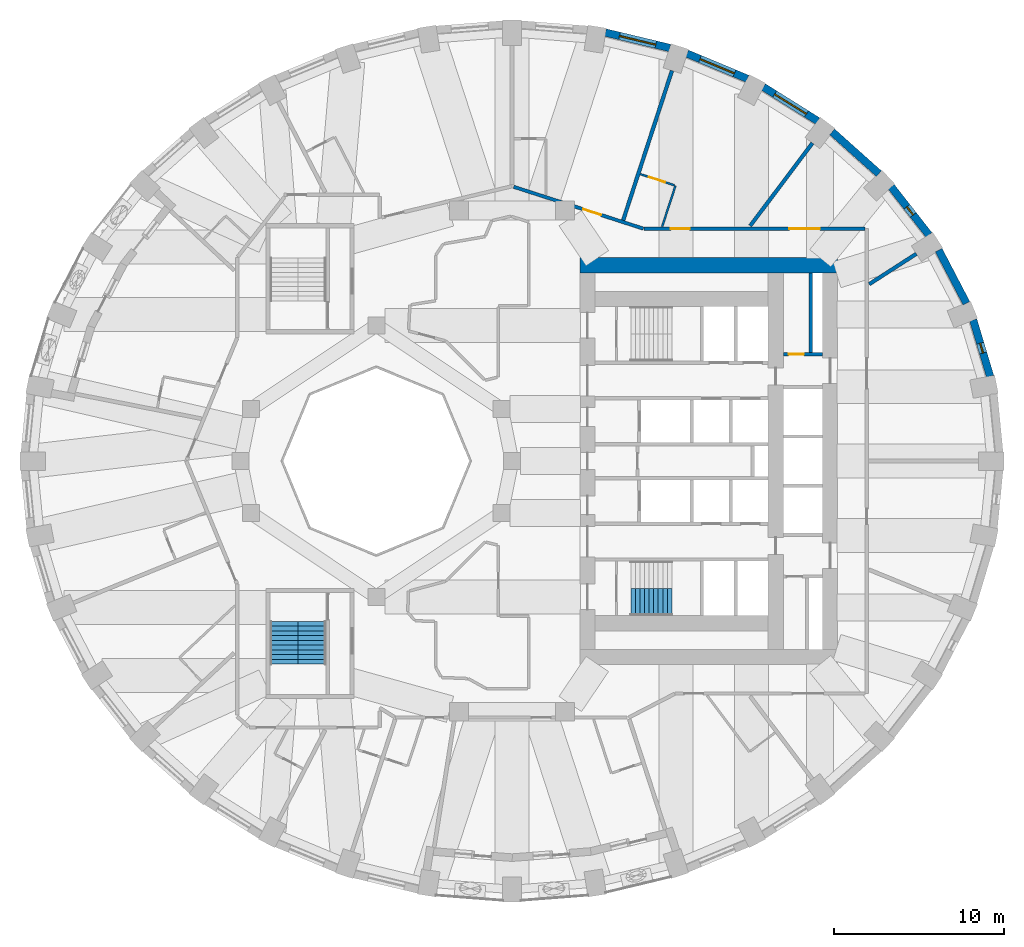
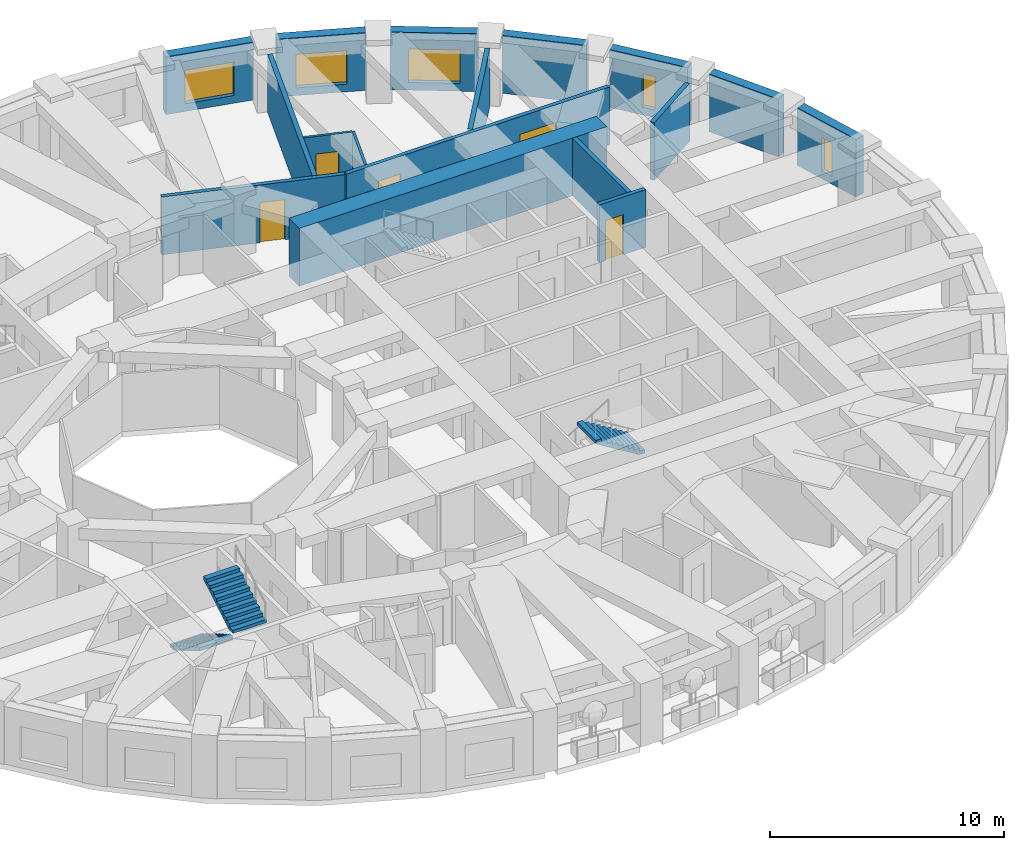
# One storey, part 9 of 13: 17 walls, 5 doors, 5 windows, 3 stair flights, 10 openings, 2 elements without a shape of their own.
"""IFC4 building model written with IfcOpenShell, lengths in metres."""

from ifc_helpers import new_model, si_unit, direction, frame, frame_2d, origin, place, context, subcontext, project, spatial, polyline, rectangle, outline, extrude, material, layer, layer_set, type_object, element, fill, aggregate, save


model = new_model("IFC4")

# Units and contexts
model_context = context("Model", 3, precision=1e-05, world=origin(), true_north=direction((0.0, 1.0)))
body_context = subcontext(model_context, "Body", "Model", "MODEL_VIEW")
ifc_project = project(units=[si_unit("LENGTHUNIT", "METRE"), si_unit("AREAUNIT", "SQUARE_METRE"), si_unit("VOLUMEUNIT", "CUBIC_METRE"), si_unit("PLANEANGLEUNIT", "RADIAN"), si_unit("MASSUNIT", "GRAM", prefix="KILO")], contexts=[model_context])

# Site, building, storey
site_placement = place(None, origin())
site = spatial("IfcSite", under=ifc_project, at=site_placement, CompositionType="ELEMENT")
building_placement = place(site_placement, origin())
building = spatial("IfcBuilding", under=site, at=building_placement, Name="Taillehof Tower", CompositionType="ELEMENT")
storey_placement = place(building_placement, frame((0.0, 0.0, 74.5)))
storey = spatial("IfcBuildingStorey", under=building, at=storey_placement, Name="L20", CompositionType="ELEMENT", Elevation=74.5)

# Wall, opening, window
ifc_material_1 = material(Name="Brick masonry", Category="masonry")
ifc_layer_1 = layer(ifc_material_1, 0.449951171875)
ifc_layer_set_1 = layer_set([ifc_layer_1], Name="Brick infill wall 450")
wall_type_1 = type_object("IfcWallType", Name="Brick infill wall 450", PredefinedType="SOLIDWALL", material=ifc_layer_set_1)
wall_1_placement = place(storey_placement, frame((28.181884765625, 4.995849609375, 0.0), z_axis=(0.0, 0.0, 1.0), x_axis=(-0.287064133733, 0.957911364963, 0.0)))
wall_1 = element("IfcWall", 1, at=wall_1_placement, inside=storey, type_object=wall_type_1, Name="Brick wall L20 bay 2", PredefinedType="SOLIDWALL", context=body_context, shape_type="SweptSolid", body=[
    extrude(rectangle(XDim=3.473388671875, YDim=0.449951171875, at=frame_2d((1.73681640625, 0.0))), origin(), (0.0, 0.0, 1.0), 3.02001953125),
])
opening_1_placement = place(wall_1_placement, frame((1.436767578125, 0.0, 0.39990234375)))
opening_1 = element("IfcOpeningElement", 2, at=opening_1_placement, cuts=wall_1, Name="Opening W6", PredefinedType="OPENING", context=body_context, shape_type="SweptSolid", body=[
    extrude(rectangle(XDim=0.60009765625, YDim=1.75, at=frame_2d((0.300048828125, 0.875))), frame((0.0, 0.23486328125, 0.0), z_axis=(0.0, -1.0, 0.0), x_axis=(1.0, 0.0, 0.0)), (0.0, 0.0, 1.0), 0.469970703125),
])
ifc_material_2 = material(Name="Aluminium window frame with clear double glazing", Category="aluminium")
window_type_1 = type_object("IfcWindowType", Name="Slot window 600x1750", PartitioningType="SINGLE_PANEL", PredefinedType="WINDOW", material=ifc_material_2)
window_1_placement = place(opening_1_placement, origin())
window_1 = element("IfcWindow", 3, at=window_1_placement, inside=storey, type_object=window_type_1, Name="W6", OverallHeight=1.75, OverallWidth=0.60009765625, PartitioningType="SINGLE_PANEL", PredefinedType="WINDOW", context=body_context, shape_type="SweptSolid", body=[
    extrude(rectangle(XDim=0.60009765625, YDim=1.75, at=frame_2d((0.300048828125, 0.875))), frame((0.0, 0.034912109375, 0.0), z_axis=(0.0, -1.0, 0.0), x_axis=(1.0, 0.0, 0.0)), (0.0, 0.0, 1.0), 0.06005859375),
])
fill(opening_1, window_1)

# Wall
wall_2_placement = place(storey_placement, frame((26.78564453125, 9.30517578125, 0.0), z_axis=(0.0, 0.0, 1.0), x_axis=(-0.462492775226, 0.886623050041, 0.0)))
element("IfcWall", 4, at=wall_2_placement, inside=storey, type_object=wall_type_1, Name="Brick wall L20 bay 3", PredefinedType="SOLIDWALL", context=body_context, shape_type="SweptSolid", body=[
    extrude(rectangle(XDim=3.531982421875, YDim=0.449951171875, at=frame_2d((1.76611328125, 0.0))), origin(), (0.0, 0.0, 1.0), 3.02001953125),
])

# Wall, opening, window
wall_3_placement = place(storey_placement, frame((24.57763671875, 13.327880859375, 0.0), z_axis=(0.0, 0.0, 1.0), x_axis=(-0.616661975264, 0.787228053529, 0.0)))
wall_3 = element("IfcWall", 5, at=wall_3_placement, inside=storey, type_object=wall_type_1, Name="Brick wall L20 bay 4", PredefinedType="SOLIDWALL", context=body_context, shape_type="SweptSolid", body=[
    extrude(rectangle(XDim=3.60986328125, YDim=0.449951171875, at=frame_2d((1.804931640625, 0.0))), origin(), (0.0, 0.0, 1.0), 3.02001953125),
])
opening_2_placement = place(wall_3_placement, frame((1.5048828125, 0.0, 0.39990234375)))
opening_2 = element("IfcOpeningElement", 6, at=opening_2_placement, cuts=wall_3, Name="Opening W6", PredefinedType="OPENING", context=body_context, shape_type="SweptSolid", body=[
    extrude(rectangle(XDim=0.60009765625, YDim=1.75, at=frame_2d((0.300048828125, 0.875))), frame((0.0, 0.23486328125, 0.0), z_axis=(0.0, -1.0, 0.0), x_axis=(1.0, 0.0, 0.0)), (0.0, 0.0, 1.0), 0.469970703125),
])
window_2_placement = place(opening_2_placement, origin())
window_2 = element("IfcWindow", 7, at=window_2_placement, inside=storey, type_object=window_type_1, Name="W6", OverallHeight=1.75, OverallWidth=0.60009765625, PartitioningType="SINGLE_PANEL", PredefinedType="WINDOW", context=body_context, shape_type="SweptSolid", body=[
    extrude(rectangle(XDim=0.60009765625, YDim=1.75, at=frame_2d((0.300048828125, 0.875))), frame((0.0, 0.034912109375, 0.0), z_axis=(0.0, -1.0, 0.0), x_axis=(1.0, 0.0, 0.0)), (0.0, 0.0, 1.0), 0.06005859375),
])
fill(opening_2, window_2)

# Wall
wall_4_placement = place(storey_placement, frame((21.626708984375, 16.943115234375, 0.0), z_axis=(0.0, 0.0, 1.0), x_axis=(-0.745526233716, 0.66647628228, 0.0)))
element("IfcWall", 8, at=wall_4_placement, inside=storey, type_object=wall_type_1, Name="Brick wall L20 bay 5", PredefinedType="SOLIDWALL", context=body_context, shape_type="SweptSolid", body=[
    extrude(rectangle(XDim=3.69677734375, YDim=0.449951171875, at=frame_2d((1.848388671875, 0.0))), origin(), (0.0, 0.0, 1.0), 3.02001953125),
])

# Wall, opening, window
wall_5_placement = place(storey_placement, frame((18.02294921875, 20.043701171875, 0.0), z_axis=(0.0, 0.0, 1.0), x_axis=(-0.847635480093, 0.530579016629, 0.0)))
wall_5 = element("IfcWall", 9, at=wall_5_placement, inside=storey, type_object=wall_type_1, Name="Brick wall L20 bay 6", PredefinedType="SOLIDWALL", context=body_context, shape_type="SweptSolid", body=[
    extrude(rectangle(XDim=3.782470703125, YDim=0.449951171875, at=frame_2d((1.89111328125, 0.0))), origin(), (0.0, 0.0, 1.0), 3.02001953125),
])
opening_3_placement = place(wall_5_placement, frame((0.791259765625, 0.0, 0.39990234375)))
opening_3 = element("IfcOpeningElement", 10, at=opening_3_placement, cuts=wall_5, Name="Opening W1", PredefinedType="OPENING", context=body_context, shape_type="SweptSolid", body=[
    extrude(rectangle(XDim=2.199951171875, YDim=1.75, at=frame_2d((1.10009765625, 0.875))), frame((0.0, 0.23486328125, 0.0), z_axis=(0.0, -1.0, 0.0), x_axis=(1.0, 0.0, 0.0)), (0.0, 0.0, 1.0), 0.469970703125),
])
ifc_material_3 = material(Name="Aluminium window frame with clear double glazing", Category="aluminium")
window_type_2 = type_object("IfcWindowType", Name="Deep-set window 2200x1750", PartitioningType="SINGLE_PANEL", PredefinedType="WINDOW", material=ifc_material_3)
window_3_placement = place(opening_3_placement, origin())
window_3 = element("IfcWindow", 11, at=window_3_placement, inside=storey, type_object=window_type_2, Name="W1", OverallHeight=1.75, OverallWidth=2.199951171875, PartitioningType="SINGLE_PANEL", PredefinedType="WINDOW", context=body_context, shape_type="SweptSolid", body=[
    extrude(rectangle(XDim=2.199951171875, YDim=1.75, at=frame_2d((1.10009765625, 0.875))), frame((0.0, 0.034912109375, 0.0), z_axis=(0.0, -1.0, 0.0), x_axis=(1.0, 0.0, 0.0)), (0.0, 0.0, 1.0), 0.06005859375),
])
fill(opening_3, window_3)

wall_6_placement = place(storey_placement, frame((13.875, 22.537353515625, 0.0), z_axis=(0.0, 0.0, 1.0), x_axis=(-0.923031964282, 0.384723267966, 0.0)))
wall_6 = element("IfcWall", 12, at=wall_6_placement, inside=storey, type_object=wall_type_1, Name="Brick wall L20 bay 7", PredefinedType="SOLIDWALL", context=body_context, shape_type="SweptSolid", body=[
    extrude(rectangle(XDim=3.8564453125, YDim=0.449951171875, at=frame_2d((1.92822265625, 0.0))), origin(), (0.0, 0.0, 1.0), 3.02001953125),
])
opening_4_placement = place(wall_6_placement, frame((0.828125, 0.0, 0.39990234375)))
opening_4 = element("IfcOpeningElement", 13, at=opening_4_placement, cuts=wall_6, Name="Opening W1", PredefinedType="OPENING", context=body_context, shape_type="SweptSolid", body=[
    extrude(rectangle(XDim=2.199951171875, YDim=1.75, at=frame_2d((1.10009765625, 0.875))), frame((0.0, 0.23486328125, 0.0), z_axis=(0.0, -1.0, 0.0), x_axis=(1.0, 0.0, 0.0)), (0.0, 0.0, 1.0), 0.469970703125),
])
window_4_placement = place(opening_4_placement, origin())
window_4 = element("IfcWindow", 14, at=window_4_placement, inside=storey, type_object=window_type_2, Name="W1", OverallHeight=1.75, OverallWidth=2.199951171875, PartitioningType="SINGLE_PANEL", PredefinedType="WINDOW", context=body_context, shape_type="SweptSolid", body=[
    extrude(rectangle(XDim=2.199951171875, YDim=1.75, at=frame_2d((1.10009765625, 0.875))), frame((0.0, 0.034912109375, 0.0), z_axis=(0.0, -1.0, 0.0), x_axis=(1.0, 0.0, 0.0)), (0.0, 0.0, 1.0), 0.06005859375),
])
fill(opening_4, window_4)

wall_7_placement = place(storey_placement, frame((9.3076171875, 24.349609375, 0.0), z_axis=(0.0, 0.0, 1.0), x_axis=(-0.972496561493, 0.232917233979, 0.0)))
wall_7 = element("IfcWall", 15, at=wall_7_placement, inside=storey, type_object=wall_type_1, Name="Brick wall L20 bay 8", PredefinedType="SOLIDWALL", context=body_context, shape_type="SweptSolid", body=[
    extrude(rectangle(XDim=3.910888671875, YDim=0.449951171875, at=frame_2d((1.95556640625, 0.0))), origin(), (0.0, 0.0, 1.0), 3.02001953125),
])
opening_5_placement = place(wall_7_placement, frame((0.855224609375, 0.0, 0.39990234375)))
opening_5 = element("IfcOpeningElement", 16, at=opening_5_placement, cuts=wall_7, Name="Opening W1", PredefinedType="OPENING", context=body_context, shape_type="SweptSolid", body=[
    extrude(rectangle(XDim=2.199951171875, YDim=1.75, at=frame_2d((1.10009765625, 0.875))), frame((0.0, 0.23486328125, 0.0), z_axis=(0.0, -1.0, 0.0), x_axis=(1.0, 0.0, 0.0)), (0.0, 0.0, 1.0), 0.469970703125),
])
window_5_placement = place(opening_5_placement, origin())
window_5 = element("IfcWindow", 17, at=window_5_placement, inside=storey, type_object=window_type_2, Name="W1", OverallHeight=1.75, OverallWidth=2.199951171875, PartitioningType="SINGLE_PANEL", PredefinedType="WINDOW", context=body_context, shape_type="SweptSolid", body=[
    extrude(rectangle(XDim=2.199951171875, YDim=1.75, at=frame_2d((1.10009765625, 0.875))), frame((0.0, 0.034912109375, 0.0), z_axis=(0.0, -1.0, 0.0), x_axis=(1.0, 0.0, 0.0)), (0.0, 0.0, 1.0), 0.06005859375),
])
fill(opening_5, window_5)

# Wall, opening, door
ifc_material_4 = material(Name="Calcium silicate masonry", Category="masonry")
ifc_layer_2 = layer(ifc_material_4, 0.199951171875)
ifc_layer_set_2 = layer_set([ifc_layer_2], Name="Compartment wall calcium silicate 200")
wall_type_2 = type_object("IfcWallType", Name="Compartment wall calcium silicate 200", PredefinedType="PARTITIONING", material=ifc_layer_set_2)
wall_8_placement = place(storey_placement, frame((16.0, 6.300048828125, 0.0), z_axis=(0.0, 0.0, 1.0), x_axis=(1.0, 0.0, 0.0)))
wall_8 = element("IfcWall", 18, at=wall_8_placement, inside=storey, type_object=wall_type_2, Name="Compartment wall FW", PredefinedType="PARTITIONING", context=body_context, shape_type="SweptSolid", body=[
    extrude(rectangle(XDim=2.300048828125, YDim=0.199951171875, at=frame_2d((1.14990234375, 0.0))), origin(), (0.0, 0.0, 1.0), 3.02001953125),
])
opening_6_placement = place(wall_8_placement, frame((0.300048828125, 0.0, 0.0)))
opening_6 = element("IfcOpeningElement", 19, at=opening_6_placement, cuts=wall_8, Name="Opening D2016", PredefinedType="OPENING", context=body_context, shape_type="SweptSolid", body=[
    extrude(rectangle(XDim=0.89990234375, YDim=2.10009765625, at=frame_2d((0.449951171875, 1.050048828125))), frame((0.0, 0.10986328125, 0.0), z_axis=(0.0, -1.0, 0.0), x_axis=(1.0, 0.0, 0.0)), (0.0, 0.0, 1.0), 0.219970703125),
])
ifc_material_5 = material(Name="Steel-faced fire door", Category="steel")
door_type_1 = type_object("IfcDoorType", Name="Riser and service room door 900x2100", OperationType="SINGLE_SWING_LEFT", PredefinedType="DOOR", material=ifc_material_5)
door_1_placement = place(opening_6_placement, origin())
door_1 = element("IfcDoor", 20, at=door_1_placement, inside=storey, type_object=door_type_1, Name="Door Store", OperationType="SINGLE_SWING_RIGHT", OverallHeight=2.10009765625, OverallWidth=0.89990234375, PredefinedType="DOOR", context=body_context, shape_type="SweptSolid", body=[
    extrude(rectangle(XDim=0.89990234375, YDim=2.10009765625, at=frame_2d((0.449951171875, 1.050048828125))), frame((0.0, 0.02490234375, 0.0), z_axis=(0.0, -1.0, 0.0), x_axis=(1.0, 0.0, 0.0)), (0.0, 0.0, 1.0), 0.050048828125),
])
fill(opening_6, door_1)

# Wall
wall_9_placement = place(storey_placement, frame((17.60009765625, 6.39990234375, 0.0), z_axis=(0.0, 0.0, 1.0), x_axis=(0.0, 1.0, 0.0)))
element("IfcWall", 21, at=wall_9_placement, inside=storey, type_object=wall_type_2, Name="Compartment wall FW", PredefinedType="PARTITIONING", context=body_context, shape_type="SweptSolid", body=[
    extrude(rectangle(XDim=4.7001953125, YDim=0.199951171875, at=frame_2d((2.35009765625, 0.0))), origin(), (0.0, 0.0, 1.0), 3.02001953125),
])

# Wall, opening, door
ifc_material_6 = material(Name="Gypsum board on steel studs, two layers each side", Category="steel")
ifc_layer_3 = layer(ifc_material_6, 0.199951171875)
ifc_layer_set_3 = layer_set([ifc_layer_3], Name="Compartment wall corridor 200")
wall_type_3 = type_object("IfcWallType", Name="Compartment wall corridor 200", PredefinedType="PARTITIONING", material=ifc_layer_set_3)
wall_10_placement = place(storey_placement, frame((0.09521484375, 16.16943359375, 0.0), z_axis=(0.0, 0.0, 1.0), x_axis=(0.951667112614, -0.307131416122, 0.0)))
wall_10 = element("IfcWall", 22, at=wall_10_placement, inside=storey, type_object=wall_type_3, Name="Compartment wall", PredefinedType="PARTITIONING", context=body_context, shape_type="SweptSolid", body=[
    extrude(rectangle(XDim=8.04052734375, YDim=0.199951171875, at=frame_2d((4.020263671875, 0.0))), origin(), (0.0, 0.0, 1.0), 3.02001953125),
])
opening_7_placement = place(wall_10_placement, frame((4.308837890625, 0.0, 0.0)))
opening_7 = element("IfcOpeningElement", 23, at=opening_7_placement, cuts=wall_10, Name="Opening D2042", PredefinedType="OPENING", context=body_context, shape_type="SweptSolid", body=[
    extrude(rectangle(XDim=1.10009765625, YDim=2.10009765625, at=frame_2d((0.550048828125, 1.050048828125))), frame((0.0, 0.10986328125, 0.0), z_axis=(0.0, -1.0, 0.0), x_axis=(1.0, 0.0, 0.0)), (0.0, 0.0, 1.0), 0.219970703125),
])
ifc_material_7 = material(Name="Timber door leaf in steel frame", Category="steel")
door_type_2 = type_object("IfcDoorType", Name="Suite entrance door EI 30 1100 x 2100", OperationType="SINGLE_SWING_LEFT", PredefinedType="DOOR", material=ifc_material_7)
door_2_placement = place(opening_7_placement, origin())
door_2 = element("IfcDoor", 24, at=door_2_placement, inside=storey, type_object=door_type_2, Name="D2042", OperationType="SINGLE_SWING_RIGHT", OverallHeight=2.10009765625, OverallWidth=1.10009765625, PredefinedType="DOOR", context=body_context, shape_type="SweptSolid", body=[
    extrude(rectangle(XDim=1.10009765625, YDim=2.10009765625, at=frame_2d((0.550048828125, 1.050048828125))), frame((0.0, 0.02490234375, 0.0), z_axis=(0.0, -1.0, 0.0), x_axis=(1.0, 0.0, 0.0)), (0.0, 0.0, 1.0), 0.050048828125),
])
fill(opening_7, door_2)

# Wall, openings, doors
wall_11_placement = place(storey_placement, frame((7.787109375, 13.699951171875, 0.0), z_axis=(0.0, 0.0, 1.0), x_axis=(1.0, 0.0, 0.0)))
wall_11 = element("IfcWall", 25, at=wall_11_placement, inside=storey, type_object=wall_type_3, Name="Compartment wall", PredefinedType="PARTITIONING", context=body_context, shape_type="SweptSolid", body=[
    extrude(rectangle(XDim=13.0126953125, YDim=0.199951171875, at=frame_2d((6.50634765625, 0.0))), origin(), (0.0, 0.0, 1.0), 3.02001953125),
])
opening_8_placement = place(wall_11_placement, frame((1.58349609375, 0.0, 0.0)))
opening_8 = element("IfcOpeningElement", 26, at=opening_8_placement, cuts=wall_11, Name="Opening D2040", PredefinedType="OPENING", context=body_context, shape_type="SweptSolid", body=[
    extrude(rectangle(XDim=1.10009765625, YDim=2.10009765625, at=frame_2d((0.550048828125, 1.050048828125))), frame((0.0, 0.10986328125, 0.0), z_axis=(0.0, -1.0, 0.0), x_axis=(1.0, 0.0, 0.0)), (0.0, 0.0, 1.0), 0.219970703125),
])
opening_9_placement = place(wall_11_placement, frame((8.562255859375, 0.0, 0.0)))
opening_9 = element("IfcOpeningElement", 27, at=opening_9_placement, cuts=wall_11, Name="Opening D2067", PredefinedType="OPENING", context=body_context, shape_type="SweptSolid", body=[
    extrude(rectangle(XDim=1.800048828125, YDim=2.10009765625, at=frame_2d((0.89990234375, 1.050048828125))), frame((0.0, 0.10986328125, 0.0), z_axis=(0.0, -1.0, 0.0), x_axis=(1.0, 0.0, 0.0)), (0.0, 0.0, 1.0), 0.219970703125),
])
ifc_material_8 = material(Name="Timber door leaf in steel frame", Category="steel")
door_type_3 = type_object("IfcDoorType", Name="Accessible guest room door EI 30 1100 x 2100", OperationType="SINGLE_SWING_LEFT", PredefinedType="DOOR", material=ifc_material_8)
door_3_placement = place(opening_8_placement, origin())
door_3 = element("IfcDoor", 28, at=door_3_placement, inside=storey, type_object=door_type_3, Name="D2040", OperationType="SINGLE_SWING_LEFT", OverallHeight=2.10009765625, OverallWidth=1.10009765625, PredefinedType="DOOR", context=body_context, shape_type="SweptSolid", body=[
    extrude(rectangle(XDim=1.10009765625, YDim=2.10009765625, at=frame_2d((0.550048828125, 1.050048828125))), frame((0.0, 0.02490234375, 0.0), z_axis=(0.0, -1.0, 0.0), x_axis=(1.0, 0.0, 0.0)), (0.0, 0.0, 1.0), 0.050048828125),
])
fill(opening_8, door_3)
ifc_material_9 = material(Name="Timber door leaf in steel frame", Category="steel")
door_type_4 = type_object("IfcDoorType", Name="Lounge and meeting room double door EI 30 1800 x 2100", OperationType="SINGLE_SWING_LEFT", PredefinedType="DOOR", material=ifc_material_9)
door_4_placement = place(opening_9_placement, origin())
door_4 = element("IfcDoor", 29, at=door_4_placement, inside=storey, type_object=door_type_4, Name="D2067", OperationType="DOUBLE_DOOR_SINGLE_SWING", OverallHeight=2.10009765625, OverallWidth=1.800048828125, PredefinedType="DOOR", context=body_context, shape_type="SweptSolid", body=[
    extrude(rectangle(XDim=1.800048828125, YDim=2.10009765625, at=frame_2d((0.89990234375, 1.050048828125))), frame((0.0, 0.02490234375, 0.0), z_axis=(0.0, -1.0, 0.0), x_axis=(1.0, 0.0, 0.0)), (0.0, 0.0, 1.0), 0.050048828125),
])
fill(opening_9, door_4)

# Walls
ifc_material_10 = material(Name="Gypsum board on double steel studs with mineral wool", Category="steel")
ifc_layer_4 = layer(ifc_material_10, 0.219970703125)
ifc_layer_set_4 = layer_set([ifc_layer_4], Name="Compartment wall guest room 220")
wall_type_4 = type_object("IfcWallType", Name="Compartment wall guest room 220", PredefinedType="PARTITIONING", material=ifc_layer_set_4)
wall_12_placement = place(storey_placement, frame((23.834716796875, 12.218994140625, 0.0), z_axis=(0.0, 0.0, 1.0), x_axis=(-0.840713483419, -0.541480229368, 0.0)))
element("IfcWall", 30, at=wall_12_placement, inside=storey, type_object=wall_type_4, Name="Compartment wall", PredefinedType="PARTITIONING", context=body_context, shape_type="SweptSolid", body=[
    extrude(rectangle(XDim=3.311767578125, YDim=0.219970703125, at=frame_2d((1.65576171875, 0.0))), origin(), (0.0, 0.0, 1.0), 3.02001953125),
])
wall_13_placement = place(storey_placement, frame((17.707763671875, 18.7431640625, 0.0), z_axis=(0.0, 0.0, 1.0), x_axis=(-0.601170031872, -0.799121137738, 0.0)))
element("IfcWall", 31, at=wall_13_placement, inside=storey, type_object=wall_type_4, Name="Compartment wall", PredefinedType="PARTITIONING", context=body_context, shape_type="SweptSolid", body=[
    extrude(rectangle(XDim=6.106201171875, YDim=0.219970703125, at=frame_2d((3.05322265625, 0.0))), origin(), (0.0, 0.0, 1.0), 3.02001953125),
])
wall_14_placement = place(storey_placement, frame((9.429443359375, 23.01416015625, 0.0), z_axis=(0.0, 0.0, 1.0), x_axis=(-0.310223734739, -0.950663575827, 0.0)))
element("IfcWall", 32, at=wall_14_placement, inside=storey, type_object=wall_type_4, Name="Compartment wall", PredefinedType="PARTITIONING", context=body_context, shape_type="SweptSolid", body=[
    extrude(rectangle(XDim=9.28076171875, YDim=0.219970703125, at=frame_2d((4.640380859375, 0.0))), origin(), (0.0, 0.0, 1.0), 3.02001953125),
])
ifc_material_11 = material(Name="Concrete C80/95", Category="concrete")
ifc_layer_5 = layer(ifc_material_11, 0.89990234375)
ifc_layer_set_5 = layer_set([ifc_layer_5], Name="Core wall C80/95 900")
wall_type_5 = type_object("IfcWallType", Name="Core wall C80/95 900", PredefinedType="SHEAR", material=ifc_layer_set_5)
wall_15_placement = place(storey_placement, frame((4.0, 11.550048828125, 0.0), z_axis=(0.0, 0.0, 1.0), x_axis=(1.0, 0.0, 0.0)))
element("IfcWall", 33, at=wall_15_placement, inside=storey, type_object=wall_type_5, Name="Core wall CW03", PredefinedType="SHEAR", context=body_context, shape_type="SweptSolid", body=[
    extrude(rectangle(XDim=15.199951171875, YDim=0.89990234375, at=frame_2d((7.60009765625, 0.0))), origin(), (0.0, 0.0, 1.0), 3.02001953125),
])
ifc_material_12 = material(Name="Gypsum board on steel studs, moisture resistant", Category="steel")
ifc_layer_6 = layer(ifc_material_12, 0.1201171875)
ifc_layer_set_6 = layer_set([ifc_layer_6], Name="En-suite wall 120")
wall_type_6 = type_object("IfcWallType", Name="En-suite wall 120", PredefinedType="PARTITIONING", material=ifc_layer_set_6)
wall_16_placement = place(storey_placement, frame((8.84814453125, 13.819091796875, 0.0), z_axis=(0.0, 0.0, 1.0), x_axis=(0.310254704997, 0.95065346895, 0.0)))
element("IfcWall", 34, at=wall_16_placement, inside=storey, type_object=wall_type_6, Name="En-suite wall", PredefinedType="PARTITIONING", context=body_context, shape_type="SweptSolid", body=[
    extrude(rectangle(XDim=2.541015625, YDim=0.1201171875, at=frame_2d((1.2705078125, 0.0))), origin(), (0.0, 0.0, 1.0), 3.02001953125),
])

# Wall, opening, door
wall_17_placement = place(storey_placement, frame((9.579345703125, 16.2529296875, 0.0), z_axis=(0.0, 0.0, 1.0), x_axis=(-0.950613738429, 0.310376417129, 0.0)))
wall_17 = element("IfcWall", 35, at=wall_17_placement, inside=storey, type_object=wall_type_6, Name="En-suite wall", PredefinedType="PARTITIONING", context=body_context, shape_type="SweptSolid", body=[
    extrude(rectangle(XDim=2.130126953125, YDim=0.1201171875, at=frame_2d((1.06494140625, 0.0))), origin(), (0.0, 0.0, 1.0), 3.02001953125),
])
opening_10_placement = place(wall_17_placement, frame((0.590087890625, 0.0, 0.0)))
opening_10 = element("IfcOpeningElement", 36, at=opening_10_placement, cuts=wall_17, Name="Opening D2041", PredefinedType="OPENING", context=body_context, shape_type="SweptSolid", body=[
    extrude(rectangle(XDim=1.0, YDim=2.10009765625, at=frame_2d((0.5, 1.050048828125))), frame((0.0, 0.070068359375, 0.0), z_axis=(0.0, -1.0, 0.0), x_axis=(1.0, 0.0, 0.0)), (0.0, 0.0, 1.0), 0.14013671875),
])
ifc_material_13 = material(Name="Timber door leaf in steel frame", Category="steel")
door_type_5 = type_object("IfcDoorType", Name="Accessible en-suite door 1000 x 2100", OperationType="SINGLE_SWING_LEFT", PredefinedType="DOOR", material=ifc_material_13)
door_5_placement = place(opening_10_placement, origin())
door_5 = element("IfcDoor", 37, at=door_5_placement, inside=storey, type_object=door_type_5, Name="D2041", OperationType="SINGLE_SWING_LEFT", OverallHeight=2.10009765625, OverallWidth=1.0, PredefinedType="DOOR", context=body_context, shape_type="SweptSolid", body=[
    extrude(rectangle(XDim=1.0, YDim=2.10009765625, at=frame_2d((0.5, 1.050048828125))), frame((0.0, 0.02490234375, 0.0), z_axis=(0.0, -1.0, 0.0), x_axis=(1.0, 0.0, 0.0)), (0.0, 0.0, 1.0), 0.050048828125),
])
fill(opening_10, door_5)

# Stair, stair flight
ifc_material_14 = material(Name="Concrete C40/50", Category="concrete")
stair_type = type_object("IfcStairType", Name="Exit stair half-turn", PredefinedType="HALF_TURN_STAIR", material=ifc_material_14)
stair_1_placement = place(storey_placement, origin())
stair_1 = element("IfcStair", 38, at=stair_1_placement, inside=storey, type_object=stair_type, Name="Exit stair S2", PredefinedType="HALF_TURN_STAIR")
ifc_material_15 = material(Name="Concrete C40/50", Category="concrete")
stair_flight_type_1 = type_object("IfcStairFlightType", Name="Stair flight 1600 riser 165.0 going 270", PredefinedType="STRAIGHT", material=ifc_material_15)
stair_flight_1_placement = place(storey_placement, frame((9.429931640625, -8.300048828125, 1.64990234375), z_axis=(0.0, 0.0, 1.0), x_axis=(-1.0, 0.0, 0.0)))
stair_flight_1 = element("IfcStairFlight", 39, at=stair_flight_1_placement, type_object=stair_flight_type_1, Name="S2 flight 2", NumberOfRisers=10, NumberOfTreads=9, PredefinedType="STRAIGHT", RiserHeight=0.165, TreadLength=0.27, context=body_context, shape_type="SweptSolid", body=[
    extrude(outline(polyline([(0.0, 0.0), (0.0, 0.00537109375), (0.0, 0.0107421875), (0.0, 0.015869140625), (0.0, 0.021240234375), (0.0, 0.026611328125), (0.0, 0.031982421875), (0.0, 0.037353515625), (0.0, 0.04248046875), (0.0, 0.0478515625), (0.0, 0.05322265625), (0.0, 0.05859375), (0.0, 0.06396484375), (0.0, 0.069091796875), (0.0, 0.074462890625), (0.0, 0.079833984375), (0.0, 0.085205078125), (0.0, 0.090576171875), (0.0, 0.095703125), (0.0, 0.10107421875), (0.0, 0.1064453125), (0.0, 0.11181640625), (0.0, 0.1171875), (0.0, 0.122314453125), (0.0, 0.127685546875), (0.0, 0.133056640625), (0.0, 0.138427734375), (0.0, 0.143798828125), (0.0, 0.14892578125), (0.0, 0.154296875), (0.0, 0.15966796875), (0.0, 0.1650390625), (0.27001953125, 0.1650390625), (0.27001953125, 0.330078125), (0.5400390625, 0.330078125), (0.5400390625, 0.4951171875), (0.81005859375, 0.4951171875), (0.81005859375, 0.659912109375), (1.080078125, 0.659912109375), (1.080078125, 0.824951171875), (1.35009765625, 0.824951171875), (1.35009765625, 0.989990234375), (1.6201171875, 0.989990234375), (1.6201171875, 1.155029296875), (1.889892578125, 1.155029296875), (1.889892578125, 1.320068359375), (2.159912109375, 1.320068359375), (2.159912109375, 1.485107421875), (2.429931640625, 1.485107421875), (2.429931640625, 1.479248046875), (2.429931640625, 1.4736328125), (2.429931640625, 1.468017578125), (2.429931640625, 1.46240234375), (2.429931640625, 1.45654296875), (2.429931640625, 1.450927734375), (2.429931640625, 1.4453125), (2.429931640625, 1.439697265625), (2.429931640625, 1.43408203125), (2.429931640625, 1.42822265625), (2.429931640625, 1.422607421875), (2.429931640625, 1.4169921875), (2.429931640625, 1.411376953125), (2.429931640625, 1.40576171875), (2.429931640625, 1.39990234375), (2.429931640625, 1.394287109375), (2.429931640625, 1.388671875), (2.429931640625, 1.383056640625), (2.429931640625, 1.37744140625), (2.429931640625, 1.37158203125), (2.429931640625, 1.365966796875), (2.429931640625, 1.3603515625), (2.429931640625, 1.354736328125), (2.429931640625, 1.348876953125), (2.429931640625, 1.34326171875), (2.429931640625, 1.337646484375), (2.429931640625, 1.33203125), (2.429931640625, 1.326416015625), (2.429931640625, 1.320556640625), (2.429931640625, 1.31494140625), (2.429931640625, 1.309326171875), (0.287353515625, 0.0), (0.0, 0.0)])), frame((0.0, 0.800048828125, 0.0), z_axis=(0.0, -1.0, 0.0), x_axis=(1.0, 0.0, 0.0)), (0.0, 0.0, 1.0), 1.6),
])
aggregate(stair_1, [stair_flight_1])

# Stair, stair flights
stair_2_placement = place(storey_placement, origin())
stair_2 = element("IfcStair", 40, at=stair_2_placement, inside=storey, type_object=stair_type, Name="Exit stair S4", PredefinedType="HALF_TURN_STAIR")
ifc_material_16 = material(Name="Concrete C40/50", Category="concrete")
stair_flight_type_2 = type_object("IfcStairFlightType", Name="Stair flight 1650 riser 165.0 going 280", PredefinedType="STRAIGHT", material=ifc_material_16)
stair_flight_2_placement = place(storey_placement, frame((-13.425048828125, -9.449951171875, 0.0), z_axis=(0.0, 0.0, 1.0), x_axis=(0.0, -1.0, 0.0)))
stair_flight_2 = element("IfcStairFlight", 41, at=stair_flight_2_placement, type_object=stair_flight_type_2, Name="S4 flight 1", NumberOfRisers=10, NumberOfTreads=9, PredefinedType="STRAIGHT", RiserHeight=0.165, TreadLength=0.28, context=body_context, shape_type="SweptSolid", body=[
    extrude(outline(polyline([(0.0, 0.0), (0.0, 0.00537109375), (0.0, 0.0107421875), (0.0, 0.015869140625), (0.0, 0.021240234375), (0.0, 0.026611328125), (0.0, 0.031982421875), (0.0, 0.037353515625), (0.0, 0.04248046875), (0.0, 0.0478515625), (0.0, 0.05322265625), (0.0, 0.05859375), (0.0, 0.06396484375), (0.0, 0.069091796875), (0.0, 0.074462890625), (0.0, 0.079833984375), (0.0, 0.085205078125), (0.0, 0.090576171875), (0.0, 0.095703125), (0.0, 0.10107421875), (0.0, 0.1064453125), (0.0, 0.11181640625), (0.0, 0.1171875), (0.0, 0.122314453125), (0.0, 0.127685546875), (0.0, 0.133056640625), (0.0, 0.138427734375), (0.0, 0.143798828125), (0.0, 0.14892578125), (0.0, 0.154296875), (0.0, 0.15966796875), (0.0, 0.1650390625), (0.280029296875, 0.1650390625), (0.280029296875, 0.330078125), (0.56005859375, 0.330078125), (0.56005859375, 0.4951171875), (0.840087890625, 0.4951171875), (0.840087890625, 0.659912109375), (1.1201171875, 0.659912109375), (1.1201171875, 0.824951171875), (1.39990234375, 0.824951171875), (1.39990234375, 0.989990234375), (1.679931640625, 0.989990234375), (1.679931640625, 1.155029296875), (1.9599609375, 1.155029296875), (1.9599609375, 1.320068359375), (2.239990234375, 1.320068359375), (2.239990234375, 1.485107421875), (2.52001953125, 1.485107421875), (2.52001953125, 1.4794921875), (2.52001953125, 1.473876953125), (2.52001953125, 1.46826171875), (2.52001953125, 1.462646484375), (2.52001953125, 1.45703125), (2.52001953125, 1.451416015625), (2.52001953125, 1.44580078125), (2.52001953125, 1.440185546875), (2.52001953125, 1.4345703125), (2.52001953125, 1.428955078125), (2.52001953125, 1.42333984375), (2.52001953125, 1.417724609375), (2.52001953125, 1.412109375), (2.52001953125, 1.406494140625), (2.52001953125, 1.40087890625), (2.52001953125, 1.395263671875), (2.52001953125, 1.3896484375), (2.52001953125, 1.384033203125), (2.52001953125, 1.37841796875), (2.52001953125, 1.372802734375), (2.52001953125, 1.3671875), (2.52001953125, 1.361572265625), (2.52001953125, 1.35595703125), (2.52001953125, 1.350341796875), (2.52001953125, 1.3447265625), (2.52001953125, 1.339111328125), (2.52001953125, 1.33349609375), (2.52001953125, 1.327880859375), (2.52001953125, 1.322265625), (2.52001953125, 1.316650390625), (2.52001953125, 1.31103515625), (0.295166015625, 0.0), (0.0, 0.0)])), frame((0.0, 0.824951171875, 0.0), z_axis=(0.0, -1.0, 0.0), x_axis=(1.0, 0.0, 0.0)), (0.0, 0.0, 1.0), 1.65),
])
stair_flight_3_placement = place(storey_placement, frame((-11.77490234375, -11.969970703125, 1.64990234375), z_axis=(0.0, 0.0, 1.0), x_axis=(0.0, 1.0, 0.0)))
stair_flight_3 = element("IfcStairFlight", 42, at=stair_flight_3_placement, type_object=stair_flight_type_2, Name="S4 flight 2", NumberOfRisers=10, NumberOfTreads=9, PredefinedType="STRAIGHT", RiserHeight=0.165, TreadLength=0.28, context=body_context, shape_type="SweptSolid", body=[
    extrude(outline(polyline([(0.0, 0.0), (0.0, 0.00537109375), (0.0, 0.0107421875), (0.0, 0.015869140625), (0.0, 0.021240234375), (0.0, 0.026611328125), (0.0, 0.031982421875), (0.0, 0.037353515625), (0.0, 0.04248046875), (0.0, 0.0478515625), (0.0, 0.05322265625), (0.0, 0.05859375), (0.0, 0.06396484375), (0.0, 0.069091796875), (0.0, 0.074462890625), (0.0, 0.079833984375), (0.0, 0.085205078125), (0.0, 0.090576171875), (0.0, 0.095703125), (0.0, 0.10107421875), (0.0, 0.1064453125), (0.0, 0.11181640625), (0.0, 0.1171875), (0.0, 0.122314453125), (0.0, 0.127685546875), (0.0, 0.133056640625), (0.0, 0.138427734375), (0.0, 0.143798828125), (0.0, 0.14892578125), (0.0, 0.154296875), (0.0, 0.15966796875), (0.0, 0.1650390625), (0.280029296875, 0.1650390625), (0.280029296875, 0.330078125), (0.56005859375, 0.330078125), (0.56005859375, 0.4951171875), (0.840087890625, 0.4951171875), (0.840087890625, 0.659912109375), (1.1201171875, 0.659912109375), (1.1201171875, 0.824951171875), (1.39990234375, 0.824951171875), (1.39990234375, 0.989990234375), (1.679931640625, 0.989990234375), (1.679931640625, 1.155029296875), (1.9599609375, 1.155029296875), (1.9599609375, 1.320068359375), (2.239990234375, 1.320068359375), (2.239990234375, 1.485107421875), (2.52001953125, 1.485107421875), (2.52001953125, 1.4794921875), (2.52001953125, 1.473876953125), (2.52001953125, 1.46826171875), (2.52001953125, 1.462646484375), (2.52001953125, 1.45703125), (2.52001953125, 1.451416015625), (2.52001953125, 1.44580078125), (2.52001953125, 1.440185546875), (2.52001953125, 1.4345703125), (2.52001953125, 1.428955078125), (2.52001953125, 1.42333984375), (2.52001953125, 1.417724609375), (2.52001953125, 1.412109375), (2.52001953125, 1.406494140625), (2.52001953125, 1.40087890625), (2.52001953125, 1.395263671875), (2.52001953125, 1.3896484375), (2.52001953125, 1.384033203125), (2.52001953125, 1.37841796875), (2.52001953125, 1.372802734375), (2.52001953125, 1.3671875), (2.52001953125, 1.361572265625), (2.52001953125, 1.35595703125), (2.52001953125, 1.350341796875), (2.52001953125, 1.3447265625), (2.52001953125, 1.339111328125), (2.52001953125, 1.33349609375), (2.52001953125, 1.327880859375), (2.52001953125, 1.322265625), (2.52001953125, 1.316650390625), (2.52001953125, 1.31103515625), (0.295166015625, 0.0), (0.0, 0.0)])), frame((0.0, 0.824951171875, 0.0), z_axis=(0.0, -1.0, 0.0), x_axis=(1.0, 0.0, 0.0)), (0.0, 0.0, 1.0), 1.65),
])
aggregate(stair_2, [stair_flight_2, stair_flight_3])

save(model, "model.ifc")
